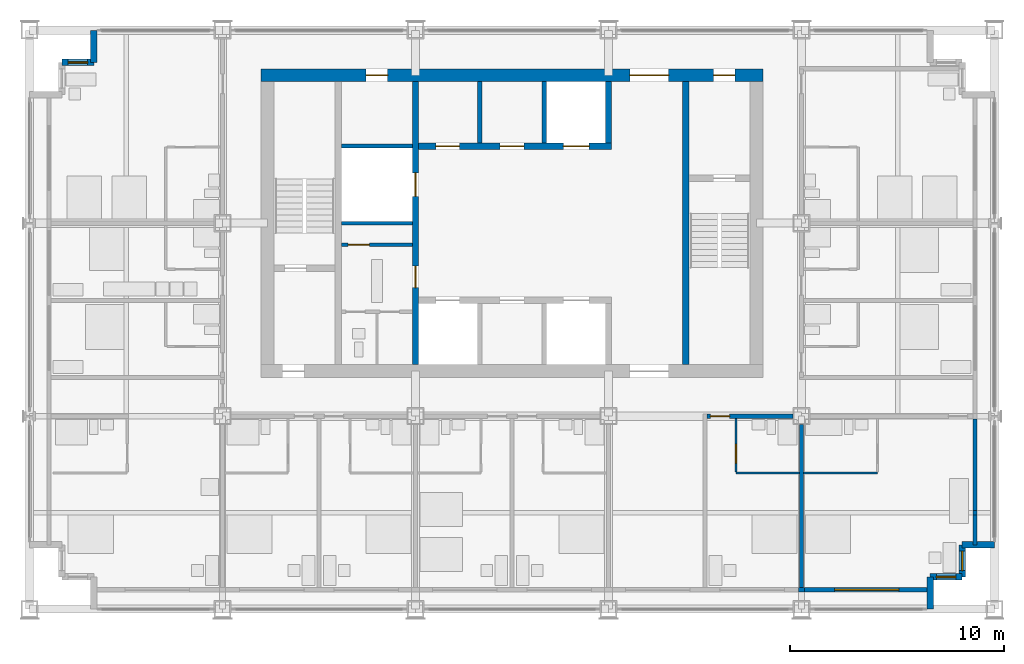
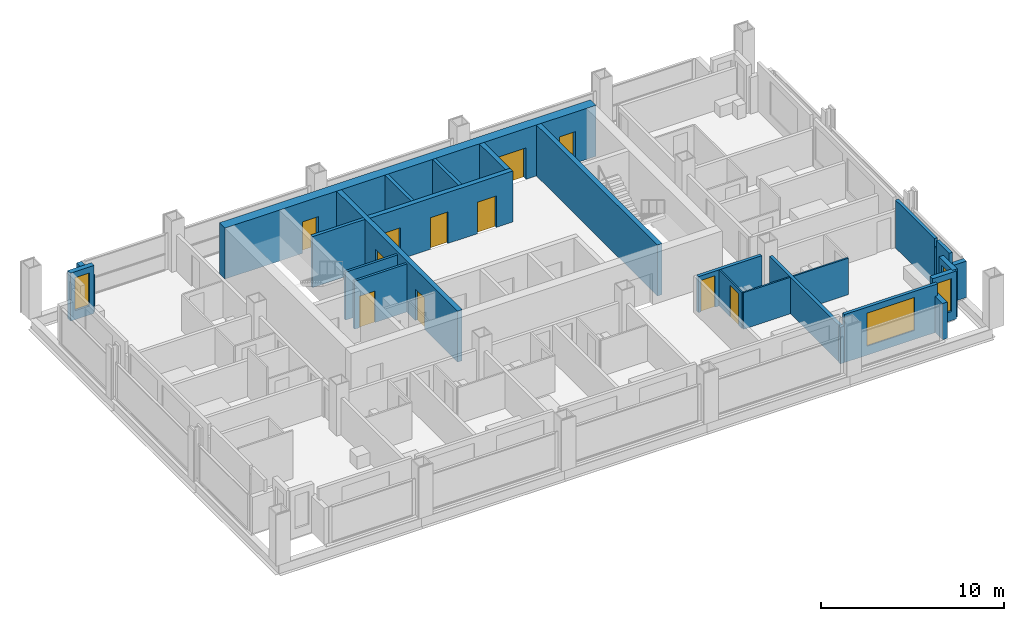
# One storey, part 9 of 14: 26 walls, 11 doors, 4 windows, 15 openings.
"""IFC4 building model written with IfcOpenShell, lengths in metres."""

from ifc_helpers import new_model, si_unit, direction, frame, frame_2d, origin, place, context, subcontext, project, spatial, rectangle, extrude, material, layer, layer_set, type_object, element, fill, save


model = new_model("IFC4")

# Units and contexts
model_context = context("Model", 3, precision=1e-05, world=origin(), true_north=direction((0.0, 1.0)))
body_context = subcontext(model_context, "Body", "Model", "MODEL_VIEW")
ifc_project = project(units=[si_unit("LENGTHUNIT", "METRE"), si_unit("AREAUNIT", "SQUARE_METRE"), si_unit("VOLUMEUNIT", "CUBIC_METRE"), si_unit("PLANEANGLEUNIT", "RADIAN"), si_unit("MASSUNIT", "GRAM", prefix="KILO")], contexts=[model_context])

# Site, building, storey
site_placement = place(None, origin())
site = spatial("IfcSite", under=ifc_project, at=site_placement, CompositionType="ELEMENT")
building_placement = place(site_placement, origin())
building = spatial("IfcBuilding", under=site, at=building_placement, Name="Loomwork Tower", CompositionType="ELEMENT")
storey_placement = place(building_placement, frame((0.0, 0.0, 167.199951171875)))
storey = spatial("IfcBuildingStorey", under=building, at=storey_placement, Name="L45", CompositionType="ELEMENT", Elevation=167.199951171875)

# Wall, openings, doors
ifc_material_1 = material(Name="Concrete 14000 psi (97 MPa)", Category="concrete")
ifc_layer_1 = layer(ifc_material_1, 0.300048828125)
ifc_layer_set_1 = layer_set([ifc_layer_1], Name="Core shear wall 300")
wall_type_1 = type_object("IfcWallType", Name="Core shear wall 300", PredefinedType="SHEAR", material=ifc_layer_set_1)
wall_1_placement = place(storey_placement, frame((18.0, 11.39990234375, 0.0), z_axis=(0.0, 0.0, 1.0), x_axis=(0.0, 1.0, 0.0)))
wall_1 = element("IfcWall", 1, at=wall_1_placement, inside=storey, type_object=wall_type_1, Name="Lobby west wall L45", PredefinedType="SHEAR", context=body_context, shape_type="SweptSolid", body=[
    extrude(rectangle(XDim=13.2001953125, YDim=0.300048828125, at=frame_2d((6.60009765625, 0.0))), origin(), (0.0, 0.0, 1.0), 3.400146484375),
])
opening_1_placement = place(wall_1_placement, frame((3.60009765625, 0.0, 0.0)))
opening_1 = element("IfcOpeningElement", 2, at=opening_1_placement, cuts=wall_1, Name="Opening D5", PredefinedType="OPENING", context=body_context, shape_type="SweptSolid", body=[
    extrude(rectangle(XDim=1.0, YDim=2.10009765625, at=frame_2d((0.5, 1.050048828125))), frame((0.0, 0.159912109375, 0.0), z_axis=(0.0, -1.0, 0.0), x_axis=(1.0, 0.0, 0.0)), (0.0, 0.0, 1.0), 0.320068359375),
])
opening_2_placement = place(wall_1_placement, frame((7.85009765625, 0.0, 0.0)))
opening_2 = element("IfcOpeningElement", 3, at=opening_2_placement, cuts=wall_1, Name="Opening LD1", PredefinedType="OPENING", context=body_context, shape_type="SweptSolid", body=[
    extrude(rectangle(XDim=1.10009765625, YDim=2.10009765625, at=frame_2d((0.550048828125, 1.050048828125))), frame((0.0, 0.159912109375, 0.0), z_axis=(0.0, -1.0, 0.0), x_axis=(1.0, 0.0, 0.0)), (0.0, 0.0, 1.0), 0.320068359375),
])
ifc_material_2 = material(Name="Hollow metal door and frame")
door_type_1 = type_object("IfcDoorType", Name="Lift landing door 1100", OperationType="SLIDING_TO_LEFT", PredefinedType="DOOR", material=ifc_material_2)
door_1_placement = place(opening_2_placement, origin())
door_1 = element("IfcDoor", 4, at=door_1_placement, inside=storey, type_object=door_type_1, Name="Lift landing door LC2", OperationType="SLIDING_TO_LEFT", OverallHeight=2.10009765625, OverallWidth=1.10009765625, PredefinedType="DOOR", context=body_context, shape_type="SweptSolid", body=[
    extrude(rectangle(XDim=1.10009765625, YDim=2.10009765625, at=frame_2d((0.550048828125, 1.050048828125))), frame((0.0, 0.02490234375, 0.0), z_axis=(0.0, -1.0, 0.0), x_axis=(1.0, 0.0, 0.0)), (0.0, 0.0, 1.0), 0.050048828125),
])
fill(opening_2, door_1)
ifc_material_3 = material(Name="Hollow metal door and frame")
door_type_2 = type_object("IfcDoorType", Name="Service door 1000", OperationType="SINGLE_SWING_LEFT", PredefinedType="DOOR", material=ifc_material_3)
door_2_placement = place(opening_1_placement, origin())
door_2 = element("IfcDoor", 5, at=door_2_placement, inside=storey, type_object=door_type_2, Name="Back-of-house door south", OperationType="SINGLE_SWING_LEFT", OverallHeight=2.10009765625, OverallWidth=1.0, PredefinedType="DOOR", context=body_context, shape_type="SweptSolid", body=[
    extrude(rectangle(XDim=1.0, YDim=2.10009765625, at=frame_2d((0.5, 1.050048828125))), frame((0.0, 0.02490234375, 0.0), z_axis=(0.0, -1.0, 0.0), x_axis=(1.0, 0.0, 0.0)), (0.0, 0.0, 1.0), 0.050048828125),
])
fill(opening_1, door_2)

wall_2_placement = place(storey_placement, frame((18.14990234375, 21.60009765625, 0.0), z_axis=(0.0, 0.0, 1.0), x_axis=(1.0, 0.0, 0.0)))
wall_2 = element("IfcWall", 6, at=wall_2_placement, inside=storey, type_object=wall_type_1, Name="Lift front wall north L45", PredefinedType="SHEAR", context=body_context, shape_type="SweptSolid", body=[
    extrude(rectangle(XDim=9.0, YDim=0.300048828125, at=frame_2d((4.5, 0.0))), origin(), (0.0, 0.0, 1.0), 3.400146484375),
])
opening_3_placement = place(wall_2_placement, frame((6.75, 0.0, 0.0)))
opening_3 = element("IfcOpeningElement", 7, at=opening_3_placement, cuts=wall_2, Name="Opening LD2", PredefinedType="OPENING", context=body_context, shape_type="SweptSolid", body=[
    extrude(rectangle(XDim=1.199951171875, YDim=2.10009765625, at=frame_2d((0.60009765625, 1.050048828125))), frame((0.0, 0.159912109375, 0.0), z_axis=(0.0, -1.0, 0.0), x_axis=(1.0, 0.0, 0.0)), (0.0, 0.0, 1.0), 0.320068359375),
])
opening_4_placement = place(wall_2_placement, frame((0.800048828125, 0.0, 0.0)))
opening_4 = element("IfcOpeningElement", 8, at=opening_4_placement, cuts=wall_2, Name="Opening D17", PredefinedType="OPENING", context=body_context, shape_type="SweptSolid", body=[
    extrude(rectangle(XDim=1.10009765625, YDim=2.10009765625, at=frame_2d((0.550048828125, 1.050048828125))), frame((0.0, 0.159912109375, 0.0), z_axis=(0.0, -1.0, 0.0), x_axis=(1.0, 0.0, 0.0)), (0.0, 0.0, 1.0), 0.320068359375),
])
opening_5_placement = place(wall_2_placement, frame((3.800048828125, 0.0, 0.0)))
opening_5 = element("IfcOpeningElement", 9, at=opening_5_placement, cuts=wall_2, Name="Opening D17", PredefinedType="OPENING", context=body_context, shape_type="SweptSolid", body=[
    extrude(rectangle(XDim=1.10009765625, YDim=2.10009765625, at=frame_2d((0.550048828125, 1.050048828125))), frame((0.0, 0.159912109375, 0.0), z_axis=(0.0, -1.0, 0.0), x_axis=(1.0, 0.0, 0.0)), (0.0, 0.0, 1.0), 0.320068359375),
])
ifc_material_4 = material(Name="Hollow metal door and frame")
door_type_3 = type_object("IfcDoorType", Name="Lift landing door 1200", OperationType="SLIDING_TO_LEFT", PredefinedType="DOOR", material=ifc_material_4)
door_3_placement = place(opening_3_placement, origin())
door_3 = element("IfcDoor", 10, at=door_3_placement, inside=storey, type_object=door_type_3, Name="Lift landing door LF2", OperationType="SLIDING_TO_LEFT", OverallHeight=2.10009765625, OverallWidth=1.199951171875, PredefinedType="DOOR", context=body_context, shape_type="SweptSolid", body=[
    extrude(rectangle(XDim=1.199951171875, YDim=2.10009765625, at=frame_2d((0.60009765625, 1.050048828125))), frame((0.0, 0.02490234375, 0.0), z_axis=(0.0, -1.0, 0.0), x_axis=(1.0, 0.0, 0.0)), (0.0, 0.0, 1.0), 0.050048828125),
])
fill(opening_3, door_3)
ifc_material_5 = material(Name="Hollow metal door and frame")
door_type_4 = type_object("IfcDoorType", Name="Service room door 1100", OperationType="SINGLE_SWING_LEFT", PredefinedType="DOOR", material=ifc_material_5)
door_4_placement = place(opening_4_placement, origin())
door_4 = element("IfcDoor", 11, at=door_4_placement, inside=storey, type_object=door_type_4, Name="Linen and housekeeping store door L45", OperationType="SINGLE_SWING_LEFT", OverallHeight=2.10009765625, OverallWidth=1.10009765625, PredefinedType="DOOR", context=body_context, shape_type="SweptSolid", body=[
    extrude(rectangle(XDim=1.10009765625, YDim=2.10009765625, at=frame_2d((0.550048828125, 1.050048828125))), frame((0.0, 0.02490234375, 0.0), z_axis=(0.0, -1.0, 0.0), x_axis=(1.0, 0.0, 0.0)), (0.0, 0.0, 1.0), 0.050048828125),
])
fill(opening_4, door_4)
door_5_placement = place(opening_5_placement, origin())
door_5 = element("IfcDoor", 12, at=door_5_placement, inside=storey, type_object=door_type_4, Name="IT and communications room door L45", OperationType="SINGLE_SWING_LEFT", OverallHeight=2.10009765625, OverallWidth=1.10009765625, PredefinedType="DOOR", context=body_context, shape_type="SweptSolid", body=[
    extrude(rectangle(XDim=1.10009765625, YDim=2.10009765625, at=frame_2d((0.550048828125, 1.050048828125))), frame((0.0, 0.02490234375, 0.0), z_axis=(0.0, -1.0, 0.0), x_axis=(1.0, 0.0, 0.0)), (0.0, 0.0, 1.0), 0.050048828125),
])
fill(opening_5, door_5)

# Walls
wall_3_placement = place(storey_placement, frame((27.0, 21.75, 0.0), z_axis=(0.0, 0.0, 1.0), x_axis=(0.0, 1.0, 0.0)))
element("IfcWall", 13, at=wall_3_placement, inside=storey, type_object=wall_type_1, Name="Lift shaft end wall north L45", PredefinedType="SHEAR", context=body_context, shape_type="SweptSolid", body=[
    extrude(rectangle(XDim=2.85009765625, YDim=0.300048828125, at=frame_2d((1.425048828125, 0.0))), origin(), (0.0, 0.0, 1.0), 3.400146484375),
])
wall_4_placement = place(storey_placement, frame((30.60009765625, 11.39990234375, 0.0), z_axis=(0.0, 0.0, 1.0), x_axis=(0.0, 1.0, 0.0)))
element("IfcWall", 14, at=wall_4_placement, inside=storey, type_object=wall_type_1, Name="Stair B west wall L45", PredefinedType="SHEAR", context=body_context, shape_type="SweptSolid", body=[
    extrude(rectangle(XDim=13.2001953125, YDim=0.300048828125, at=frame_2d((6.60009765625, 0.0))), origin(), (0.0, 0.0, 1.0), 3.400146484375),
])

# Wall, openings, doors
ifc_material_6 = material(Name="Concrete 14000 psi (97 MPa)", Category="concrete")
ifc_layer_2 = layer(ifc_material_6, 0.60009765625)
ifc_layer_set_2 = layer_set([ifc_layer_2], Name="Core shear wall 600")
wall_type_2 = type_object("IfcWallType", Name="Core shear wall 600", PredefinedType="SHEAR", material=ifc_layer_set_2)
wall_5_placement = place(storey_placement, frame((10.800048828125, 24.89990234375, 0.0), z_axis=(0.0, 0.0, 1.0), x_axis=(1.0, 0.0, 0.0)))
wall_5 = element("IfcWall", 15, at=wall_5_placement, inside=storey, type_object=wall_type_2, Name="Core wall north L45", PredefinedType="SHEAR", context=body_context, shape_type="SweptSolid", body=[
    extrude(rectangle(XDim=23.39990234375, YDim=0.60009765625, at=frame_2d((11.699951171875, 0.0))), origin(), (0.0, 0.0, 1.0), 3.400146484375),
])
opening_6_placement = place(wall_5_placement, frame((17.199951171875, 0.0, 0.0)))
opening_6 = element("IfcOpeningElement", 16, at=opening_6_placement, cuts=wall_5, Name="Opening D6", PredefinedType="OPENING", context=body_context, shape_type="SweptSolid", body=[
    extrude(rectangle(XDim=1.800048828125, YDim=2.10009765625, at=frame_2d((0.89990234375, 1.050048828125))), frame((0.0, 0.31005859375, 0.0), z_axis=(0.0, -1.0, 0.0), x_axis=(1.0, 0.0, 0.0)), (0.0, 0.0, 1.0), 0.6201171875),
])
opening_7_placement = place(wall_5_placement, frame((21.10009765625, 0.0, 0.0)))
opening_7 = element("IfcOpeningElement", 17, at=opening_7_placement, cuts=wall_5, Name="Opening D4", PredefinedType="OPENING", context=body_context, shape_type="SweptSolid", body=[
    extrude(rectangle(XDim=1.0, YDim=2.10009765625, at=frame_2d((0.5, 1.050048828125))), frame((0.0, 0.31005859375, 0.0), z_axis=(0.0, -1.0, 0.0), x_axis=(1.0, 0.0, 0.0)), (0.0, 0.0, 1.0), 0.6201171875),
])
opening_8_placement = place(wall_5_placement, frame((4.89990234375, 0.0, 0.0)))
opening_8 = element("IfcOpeningElement", 18, at=opening_8_placement, cuts=wall_5, Name="Opening D5", PredefinedType="OPENING", context=body_context, shape_type="SweptSolid", body=[
    extrude(rectangle(XDim=1.0, YDim=2.10009765625, at=frame_2d((0.5, 1.050048828125))), frame((0.0, 0.31005859375, 0.0), z_axis=(0.0, -1.0, 0.0), x_axis=(1.0, 0.0, 0.0)), (0.0, 0.0, 1.0), 0.6201171875),
])
ifc_material_7 = material(Name="Hollow metal door and frame")
door_type_5 = type_object("IfcDoorType", Name="Lobby passage double door 1800", OperationType="DOUBLE_DOOR_SINGLE_SWING", PredefinedType="DOOR", material=ifc_material_7)
door_6_placement = place(opening_6_placement, frame((1.800048828125, 0.0, 0.0), z_axis=(0.0, 0.0, 1.0), x_axis=(-1.0, 0.0, 0.0)))
door_6 = element("IfcDoor", 19, at=door_6_placement, inside=storey, type_object=door_type_5, Name="Lobby passage door north", OperationType="DOUBLE_DOOR_SINGLE_SWING", OverallHeight=2.10009765625, OverallWidth=1.800048828125, PredefinedType="DOOR", context=body_context, shape_type="SweptSolid", body=[
    extrude(rectangle(XDim=1.800048828125, YDim=2.10009765625, at=frame_2d((0.89990234375, 1.050048828125))), frame((0.0, 0.02490234375, 0.0), z_axis=(0.0, -1.0, 0.0), x_axis=(1.0, 0.0, 0.0)), (0.0, 0.0, 1.0), 0.050048828125),
])
fill(opening_6, door_6)
door_7_placement = place(opening_8_placement, frame((1.0, 0.0, 0.0), z_axis=(0.0, 0.0, 1.0), x_axis=(-1.0, 0.0, 0.0)))
door_7 = element("IfcDoor", 20, at=door_7_placement, inside=storey, type_object=door_type_2, Name="Back-of-house door north", OperationType="SINGLE_SWING_LEFT", OverallHeight=2.10009765625, OverallWidth=1.0, PredefinedType="DOOR", context=body_context, shape_type="SweptSolid", body=[
    extrude(rectangle(XDim=1.0, YDim=2.10009765625, at=frame_2d((0.5, 1.050048828125))), frame((0.0, 0.02490234375, 0.0), z_axis=(0.0, -1.0, 0.0), x_axis=(1.0, 0.0, 0.0)), (0.0, 0.0, 1.0), 0.050048828125),
])
fill(opening_8, door_7)
ifc_material_8 = material(Name="Hollow metal door and frame")
door_type_6 = type_object("IfcDoorType", Name="Stair door 1000", OperationType="SINGLE_SWING_RIGHT", PredefinedType="DOOR", material=ifc_material_8)
door_8_placement = place(opening_7_placement, frame((1.0, 0.0, 0.0), z_axis=(0.0, 0.0, 1.0), x_axis=(-1.0, 0.0, 0.0)))
door_8 = element("IfcDoor", 21, at=door_8_placement, inside=storey, type_object=door_type_6, Name="Stair B vestibule door", OperationType="SINGLE_SWING_LEFT", OverallHeight=2.10009765625, OverallWidth=1.0, PredefinedType="DOOR", context=body_context, shape_type="SweptSolid", body=[
    extrude(rectangle(XDim=1.0, YDim=2.10009765625, at=frame_2d((0.5, 1.050048828125))), frame((0.0, 0.02490234375, 0.0), z_axis=(0.0, -1.0, 0.0), x_axis=(1.0, 0.0, 0.0)), (0.0, 0.0, 1.0), 0.050048828125),
])
fill(opening_7, door_8)

# Wall, opening, door
ifc_material_9 = material(Name="Gypsum board on steel studs, one-hour", Category="steel")
ifc_layer_3 = layer(ifc_material_9, 0.199951171875)
ifc_layer_set_3 = layer_set([ifc_layer_3], Name="Corridor wall 200")
wall_type_3 = type_object("IfcWallType", Name="Corridor wall 200", PredefinedType="PARTITIONING", material=ifc_layer_set_3)
wall_6_placement = place(storey_placement, frame((31.60009765625, 9.0, 0.0), z_axis=(0.0, 0.0, 1.0), x_axis=(1.0, 0.0, 0.0)))
wall_6 = element("IfcWall", 22, at=wall_6_placement, inside=storey, type_object=wall_type_3, Name="South corridor wall 4", PredefinedType="PARTITIONING", context=body_context, shape_type="SweptSolid", body=[
    extrude(rectangle(XDim=4.0, YDim=0.199951171875, at=frame_2d((2.0, 0.0))), origin(), (0.0, 0.0, 1.0), 2.405029296875),
])
opening_9_placement = place(wall_6_placement, frame((0.14990234375, 0.0, 0.0)))
opening_9 = element("IfcOpeningElement", 23, at=opening_9_placement, cuts=wall_6, Name="Opening D1", PredefinedType="OPENING", context=body_context, shape_type="SweptSolid", body=[
    extrude(rectangle(XDim=0.89990234375, YDim=2.10009765625, at=frame_2d((0.449951171875, 1.050048828125))), frame((0.0, 0.10986328125, 0.0), z_axis=(0.0, -1.0, 0.0), x_axis=(1.0, 0.0, 0.0)), (0.0, 0.0, 1.0), 0.219970703125),
])
ifc_material_10 = material(Name="Hollow metal door and frame")
door_type_7 = type_object("IfcDoorType", Name="Guest room entry door 900", OperationType="SINGLE_SWING_LEFT", PredefinedType="DOOR", material=ifc_material_10)
door_9_placement = place(opening_9_placement, frame((0.89990234375, 0.0, 0.0), z_axis=(0.0, 0.0, 1.0), x_axis=(-1.0, 0.0, 0.0)))
door_9 = element("IfcDoor", 24, at=door_9_placement, inside=storey, type_object=door_type_7, Name="Guest room entry door L45 6", OperationType="SINGLE_SWING_RIGHT", OverallHeight=2.10009765625, OverallWidth=0.89990234375, PredefinedType="DOOR", context=body_context, shape_type="SweptSolid", body=[
    extrude(rectangle(XDim=0.89990234375, YDim=2.10009765625, at=frame_2d((0.449951171875, 1.050048828125))), frame((0.0, 0.02490234375, 0.0), z_axis=(0.0, -1.0, 0.0), x_axis=(1.0, 0.0, 0.0)), (0.0, 0.0, 1.0), 0.050048828125),
])
fill(opening_9, door_9)

# Wall
ifc_material_11 = material(Name="Cement board on steel studs", Category="steel")
ifc_layer_4 = layer(ifc_material_11, 0.10009765625)
ifc_layer_set_4 = layer_set([ifc_layer_4], Name="En-suite partition 100")
wall_type_4 = type_object("IfcWallType", Name="En-suite partition 100", PredefinedType="PARTITIONING", material=ifc_layer_set_4)
wall_7_placement = place(storey_placement, frame((32.949951171875, 6.35009765625, 0.0), z_axis=(0.0, 0.0, 1.0), x_axis=(1.0, 0.0, 0.0)))
element("IfcWall", 25, at=wall_7_placement, inside=storey, type_object=wall_type_4, Name="En-suite wall L45 room 6", PredefinedType="PARTITIONING", context=body_context, shape_type="SweptSolid", body=[
    extrude(rectangle(XDim=2.949951171875, YDim=0.10009765625, at=frame_2d((1.47509765625, 0.0))), origin(), (0.0, 0.0, 1.0), 2.43798828125),
])

# Wall, opening, door
wall_8_placement = place(storey_placement, frame((32.949951171875, 8.89990234375, 0.0), z_axis=(0.0, 0.0, 1.0), x_axis=(0.0, -1.0, 0.0)))
wall_8 = element("IfcWall", 26, at=wall_8_placement, inside=storey, type_object=wall_type_4, Name="En-suite side wall L45 room 6", PredefinedType="PARTITIONING", context=body_context, shape_type="SweptSolid", body=[
    extrude(rectangle(XDim=2.5, YDim=0.10009765625, at=frame_2d((1.25, 0.0))), origin(), (0.0, 0.0, 1.0), 2.404052734375),
])
opening_10_placement = place(wall_8_placement, frame((1.199951171875, 0.0, 0.0)))
opening_10 = element("IfcOpeningElement", 27, at=opening_10_placement, cuts=wall_8, Name="Opening D2", PredefinedType="OPENING", context=body_context, shape_type="SweptSolid", body=[
    extrude(rectangle(XDim=0.89990234375, YDim=2.10009765625, at=frame_2d((0.449951171875, 1.050048828125))), frame((0.0, 0.06005859375, 0.0), z_axis=(0.0, -1.0, 0.0), x_axis=(1.0, 0.0, 0.0)), (0.0, 0.0, 1.0), 0.1201171875),
])
ifc_material_12 = material(Name="Hollow metal door and frame")
door_type_8 = type_object("IfcDoorType", Name="En-suite door 900", OperationType="SINGLE_SWING_LEFT", PredefinedType="DOOR", material=ifc_material_12)
door_10_placement = place(opening_10_placement, origin())
door_10 = element("IfcDoor", 28, at=door_10_placement, inside=storey, type_object=door_type_8, Name="En-suite door room 6", OperationType="SINGLE_SWING_RIGHT", OverallHeight=2.10009765625, OverallWidth=0.89990234375, PredefinedType="DOOR", context=body_context, shape_type="SweptSolid", body=[
    extrude(rectangle(XDim=0.89990234375, YDim=2.10009765625, at=frame_2d((0.449951171875, 1.050048828125))), frame((0.0, 0.02490234375, 0.0), z_axis=(0.0, -1.0, 0.0), x_axis=(1.0, 0.0, 0.0)), (0.0, 0.0, 1.0), 0.050048828125),
])
fill(opening_10, door_10)

# Walls
wall_9_placement = place(storey_placement, frame((36.10009765625, 6.35009765625, 0.0), z_axis=(0.0, 0.0, 1.0), x_axis=(1.0, 0.0, 0.0)))
element("IfcWall", 29, at=wall_9_placement, inside=storey, type_object=wall_type_4, Name="En-suite wall L45 room 7", PredefinedType="PARTITIONING", context=body_context, shape_type="SweptSolid", body=[
    extrude(rectangle(XDim=3.449951171875, YDim=0.10009765625, at=frame_2d((1.72509765625, 0.0))), origin(), (0.0, 0.0, 1.0), 2.43798828125),
])
ifc_material_13 = material(Name="Gypsum board on steel studs, acoustic", Category="steel")
ifc_layer_5 = layer(ifc_material_13, 0.199951171875)
ifc_layer_set_5 = layer_set([ifc_layer_5], Name="Guest room party wall 200")
wall_type_5 = type_object("IfcWallType", Name="Guest room party wall 200", PredefinedType="PARTITIONING", material=ifc_layer_set_5)
wall_10_placement = place(storey_placement, frame((36.0, 8.60009765625, 0.0), z_axis=(0.0, 0.0, 1.0), x_axis=(0.0, -1.0, 0.0)))
element("IfcWall", 30, at=wall_10_placement, inside=storey, type_object=wall_type_5, Name="Guest room party wall S 36", PredefinedType="PARTITIONING", context=body_context, shape_type="SweptSolid", body=[
    extrude(rectangle(XDim=7.60009765625, YDim=0.199951171875, at=frame_2d((3.800048828125, 0.0))), origin(), (0.0, 0.0, 1.0), 2.43798828125),
])
ifc_material_14 = material(Name="Insulated steel stud wall with gypsum lining", Category="steel")
ifc_layer_6 = layer(ifc_material_14, 0.199951171875)
ifc_layer_set_6 = layer_set([ifc_layer_6], Name="Inner skin wall 200")
wall_type_6 = type_object("IfcWallType", Name="Inner skin wall 200", PredefinedType="SOLIDWALL", material=ifc_layer_set_6)
wall_11_placement = place(storey_placement, frame((44.10009765625, 3.0, 0.0), z_axis=(0.0, 0.0, 1.0), x_axis=(0.0, 1.0, 0.0)))
element("IfcWall", 31, at=wall_11_placement, inside=storey, type_object=wall_type_6, Name="Inner skin wall E", PredefinedType="SOLIDWALL", context=body_context, shape_type="SweptSolid", body=[
    extrude(rectangle(XDim=1.392578125, YDim=0.199951171875, at=frame_2d((0.6962890625, 0.0))), origin(), (0.0, 0.0, 1.0), 3.199951171875),
])
wall_12_placement = place(storey_placement, frame((35.864501953125, 0.89990234375, 0.0), z_axis=(0.0, 0.0, 1.0), x_axis=(1.0, 0.0, 0.0)))
element("IfcWall", 32, at=wall_12_placement, inside=storey, type_object=wall_type_6, Name="Inner skin wall S bay 8", PredefinedType="SOLIDWALL", context=body_context, shape_type="SweptSolid", body=[
    extrude(rectangle(XDim=0.27099609375, YDim=0.199951171875, at=frame_2d((0.135498046875, 0.0))), origin(), (0.0, 0.0, 1.0), 2.43798828125),
])

# Wall, opening, window
wall_13_placement = place(storey_placement, frame((36.135498046875, 0.89990234375, 0.0), z_axis=(0.0, 0.0, 1.0), x_axis=(1.0, 0.0, 0.0)))
wall_13 = element("IfcWall", 33, at=wall_13_placement, inside=storey, type_object=wall_type_6, Name="Inner skin wall S bay 9", PredefinedType="SOLIDWALL", context=body_context, shape_type="SweptSolid", body=[
    extrude(rectangle(XDim=5.864501953125, YDim=0.199951171875, at=frame_2d((2.93212890625, 0.0))), origin(), (0.0, 0.0, 1.0), 3.199951171875),
])
opening_11_placement = place(wall_13_placement, frame((1.41455078125, 0.0, 0.60009765625)))
opening_11 = element("IfcOpeningElement", 34, at=opening_11_placement, cuts=wall_13, Name="Opening CH1", PredefinedType="OPENING", context=body_context, shape_type="SweptSolid", body=[
    extrude(rectangle(XDim=3.0, YDim=2.199951171875, at=frame_2d((1.5, 1.10009765625))), frame((0.0, 0.10986328125, 0.0), z_axis=(0.0, -1.0, 0.0), x_axis=(1.0, 0.0, 0.0)), (0.0, 0.0, 1.0), 0.219970703125),
])
ifc_material_15 = material(Name="Aluminium frame with clear insulated glass", Category="aluminium")
window_type_1 = type_object("IfcWindowType", Name="Chicago window 3000", PartitioningType="TRIPLE_PANEL_VERTICAL", PredefinedType="WINDOW", material=ifc_material_15)
window_1_placement = place(opening_11_placement, origin())
window_1 = element("IfcWindow", 35, at=window_1_placement, inside=storey, type_object=window_type_1, Name="Chicago window L45 bay 5", OverallHeight=2.199951171875, OverallWidth=3.0, PartitioningType="TRIPLE_PANEL_VERTICAL", PredefinedType="WINDOW", context=body_context, shape_type="SweptSolid", body=[
    extrude(rectangle(XDim=3.0, YDim=2.199951171875, at=frame_2d((1.5, 1.10009765625))), frame((0.0, 0.030029296875, 0.0), z_axis=(0.0, -1.0, 0.0), x_axis=(1.0, 0.0, 0.0)), (0.0, 0.0, 1.0), 0.06005859375),
])
fill(opening_11, window_1)

# Walls
wall_14_placement = place(storey_placement, frame((44.10009765625, 4.392578125, 0.0), z_axis=(0.0, 0.0, 1.0), x_axis=(0.0, 1.0, 0.0)))
element("IfcWall", 36, at=wall_14_placement, inside=storey, type_object=wall_type_6, Name="Inner skin wall E bay 2", PredefinedType="SOLIDWALL", context=body_context, shape_type="SweptSolid", body=[
    extrude(rectangle(XDim=0.21484375, YDim=0.199951171875, at=frame_2d((0.107421875, 0.0))), origin(), (0.0, 0.0, 1.0), 2.6611328125),
])
wall_15_placement = place(storey_placement, frame((44.10009765625, 4.607421875, 0.0), z_axis=(0.0, 0.0, 1.0), x_axis=(0.0, 1.0, 0.0)))
element("IfcWall", 37, at=wall_15_placement, inside=storey, type_object=wall_type_6, Name="Inner skin wall E bay 3", PredefinedType="SOLIDWALL", context=body_context, shape_type="SweptSolid", body=[
    extrude(rectangle(XDim=4.25732421875, YDim=0.199951171875, at=frame_2d((2.128662109375, 0.0))), origin(), (0.0, 0.0, 1.0), 3.199951171875),
])
ifc_material_16 = material(Name="Concrete 14000 psi (97 MPa)", Category="concrete")
ifc_layer_7 = layer(ifc_material_16, 0.199951171875)
ifc_layer_set_7 = layer_set([ifc_layer_7], Name="Lift shaft wall 200")
wall_type_7 = type_object("IfcWallType", Name="Lift shaft wall 200", PredefinedType="SHEAR", material=ifc_layer_set_7)
for number, where, z_axis, x_axis, name in (
    (38, (21.0, 21.75, 0.0), (0.0, 0.0, 1.0), (0.0, 1.0, 0.0), "Lift shaft separation wall north 1 L45"),
    (39, (24.0, 21.75, 0.0), (0.0, 0.0, 1.0), (0.0, 1.0, 0.0), "Lift shaft separation wall north 2 L45"),
):
    element("IfcWall", number, at=place(storey_placement, frame(where, z_axis=z_axis, x_axis=x_axis)), inside=storey, type_object=wall_type_7, Name=name, PredefinedType="SHEAR", context=body_context, shape_type="SweptSolid", body=[
        extrude(rectangle(XDim=2.85009765625, YDim=0.199951171875, at=frame_2d((1.425048828125, 0.0))), origin(), (0.0, 0.0, 1.0), 3.400146484375),
    ])
wall_16_placement = place(storey_placement, frame((14.550048828125, 21.60009765625, 0.0), z_axis=(0.0, 0.0, 1.0), x_axis=(1.0, 0.0, 0.0)))
element("IfcWall", 40, at=wall_16_placement, inside=storey, type_object=wall_type_7, Name="Lift shaft wall west north L45", PredefinedType="SHEAR", context=body_context, shape_type="SweptSolid", body=[
    extrude(rectangle(XDim=3.300048828125, YDim=0.199951171875, at=frame_2d((1.64990234375, 0.0))), origin(), (0.0, 0.0, 1.0), 3.400146484375),
])
ifc_material_17 = material(Name="Limestone on concrete masonry", Category="masonry")
ifc_layer_8 = layer(ifc_material_17, 0.300048828125)
ifc_layer_set_8 = layer_set([ifc_layer_8], Name="Limestone corner wall 300")
wall_type_8 = type_object("IfcWallType", Name="Limestone corner wall 300", PredefinedType="SOLIDWALL", material=ifc_layer_set_8)
wall_17_placement = place(storey_placement, frame((42.0, 0.0, 0.0), z_axis=(0.0, 0.0, 1.0), x_axis=(0.0, 1.0, 0.0)))
element("IfcWall", 41, at=wall_17_placement, inside=storey, type_object=wall_type_8, Name="Stone corner wall SE 1", PredefinedType="SOLIDWALL", context=body_context, shape_type="SweptSolid", body=[
    extrude(rectangle(XDim=1.5, YDim=0.300048828125, at=frame_2d((0.75, 0.0))), origin(), (0.0, 0.0, 1.0), 2.420166015625),
])

# Wall, opening, window
wall_18_placement = place(storey_placement, frame((42.0, 1.5, 0.0), z_axis=(0.0, 0.0, 1.0), x_axis=(1.0, 0.0, 0.0)))
wall_18 = element("IfcWall", 42, at=wall_18_placement, inside=storey, type_object=wall_type_8, Name="Stone corner wall SE 2", PredefinedType="SOLIDWALL", context=body_context, shape_type="SweptSolid", body=[
    extrude(rectangle(XDim=1.5, YDim=0.300048828125, at=frame_2d((0.75, 0.0))), origin(), (0.0, 0.0, 1.0), 3.199951171875),
])
opening_12_placement = place(wall_18_placement, frame((0.300048828125, 0.0, 0.60009765625)))
opening_12 = element("IfcOpeningElement", 43, at=opening_12_placement, cuts=wall_18, Name="Opening CH2", PredefinedType="OPENING", context=body_context, shape_type="SweptSolid", body=[
    extrude(rectangle(XDim=0.89990234375, YDim=2.199951171875, at=frame_2d((0.449951171875, 1.10009765625))), frame((0.0, 0.159912109375, 0.0), z_axis=(0.0, -1.0, 0.0), x_axis=(1.0, 0.0, 0.0)), (0.0, 0.0, 1.0), 0.320068359375),
])
ifc_material_18 = material(Name="Aluminium frame with clear insulated glass", Category="aluminium")
window_type_2 = type_object("IfcWindowType", Name="Corner window 900", PartitioningType="SINGLE_PANEL", PredefinedType="WINDOW", material=ifc_material_18)
window_2_placement = place(opening_12_placement, origin())
window_2 = element("IfcWindow", 44, at=window_2_placement, inside=storey, type_object=window_type_2, Name="Corner window SE", OverallHeight=2.199951171875, OverallWidth=0.89990234375, PartitioningType="SINGLE_PANEL", PredefinedType="WINDOW", context=body_context, shape_type="SweptSolid", body=[
    extrude(rectangle(XDim=0.89990234375, YDim=2.199951171875, at=frame_2d((0.449951171875, 1.10009765625))), frame((0.0, 0.030029296875, 0.0), z_axis=(0.0, -1.0, 0.0), x_axis=(1.0, 0.0, 0.0)), (0.0, 0.0, 1.0), 0.06005859375),
])
fill(opening_12, window_2)

wall_19_placement = place(storey_placement, frame((43.5, 1.5, 0.0), z_axis=(0.0, 0.0, 1.0), x_axis=(0.0, 1.0, 0.0)))
wall_19 = element("IfcWall", 45, at=wall_19_placement, inside=storey, type_object=wall_type_8, Name="Stone corner wall SE 3", PredefinedType="SOLIDWALL", context=body_context, shape_type="SweptSolid", body=[
    extrude(rectangle(XDim=1.5, YDim=0.300048828125, at=frame_2d((0.75, 0.0))), origin(), (0.0, 0.0, 1.0), 3.199951171875),
])
opening_13_placement = place(wall_19_placement, frame((0.300048828125, 0.0, 0.60009765625)))
opening_13 = element("IfcOpeningElement", 46, at=opening_13_placement, cuts=wall_19, Name="Opening CH2", PredefinedType="OPENING", context=body_context, shape_type="SweptSolid", body=[
    extrude(rectangle(XDim=0.89990234375, YDim=2.199951171875, at=frame_2d((0.449951171875, 1.10009765625))), frame((0.0, 0.159912109375, 0.0), z_axis=(0.0, -1.0, 0.0), x_axis=(1.0, 0.0, 0.0)), (0.0, 0.0, 1.0), 0.320068359375),
])
window_3_placement = place(opening_13_placement, origin())
window_3 = element("IfcWindow", 47, at=window_3_placement, inside=storey, type_object=window_type_2, Name="Corner window SE", OverallHeight=2.199951171875, OverallWidth=0.89990234375, PartitioningType="SINGLE_PANEL", PredefinedType="WINDOW", context=body_context, shape_type="SweptSolid", body=[
    extrude(rectangle(XDim=0.89990234375, YDim=2.199951171875, at=frame_2d((0.449951171875, 1.10009765625))), frame((0.0, 0.030029296875, 0.0), z_axis=(0.0, -1.0, 0.0), x_axis=(1.0, 0.0, 0.0)), (0.0, 0.0, 1.0), 0.06005859375),
])
fill(opening_13, window_3)

# Walls
for number, where, z_axis, x_axis, name in (
    (48, (43.5, 3.0, 0.0), (0.0, 0.0, 1.0), (1.0, 0.0, 0.0), "Stone corner wall SE 4"),
    (49, (3.0, 27.0, 0.0), (0.0, 0.0, 1.0), (0.0, -1.0, 0.0), "Stone corner wall NW 1"),
):
    element("IfcWall", number, at=place(storey_placement, frame(where, z_axis=z_axis, x_axis=x_axis)), inside=storey, type_object=wall_type_8, Name=name, PredefinedType="SOLIDWALL", context=body_context, shape_type="SweptSolid", body=[
        extrude(rectangle(XDim=1.5, YDim=0.300048828125, at=frame_2d((0.75, 0.0))), origin(), (0.0, 0.0, 1.0), 2.420166015625),
    ])

# Wall, opening, window
wall_20_placement = place(storey_placement, frame((3.0, 25.5, 0.0), z_axis=(0.0, 0.0, 1.0), x_axis=(-1.0, 0.0, 0.0)))
wall_20 = element("IfcWall", 50, at=wall_20_placement, inside=storey, type_object=wall_type_8, Name="Stone corner wall NW 2", PredefinedType="SOLIDWALL", context=body_context, shape_type="SweptSolid", body=[
    extrude(rectangle(XDim=1.5, YDim=0.300048828125, at=frame_2d((0.75, 0.0))), origin(), (0.0, 0.0, 1.0), 3.199951171875),
])
opening_14_placement = place(wall_20_placement, frame((0.300048828125, 0.0, 0.60009765625)))
opening_14 = element("IfcOpeningElement", 51, at=opening_14_placement, cuts=wall_20, Name="Opening CH2", PredefinedType="OPENING", context=body_context, shape_type="SweptSolid", body=[
    extrude(rectangle(XDim=0.89990234375, YDim=2.199951171875, at=frame_2d((0.449951171875, 1.10009765625))), frame((0.0, 0.159912109375, 0.0), z_axis=(0.0, -1.0, 0.0), x_axis=(1.0, 0.0, 0.0)), (0.0, 0.0, 1.0), 0.320068359375),
])
window_4_placement = place(opening_14_placement, origin())
window_4 = element("IfcWindow", 52, at=window_4_placement, inside=storey, type_object=window_type_2, Name="Corner window NW", OverallHeight=2.199951171875, OverallWidth=0.89990234375, PartitioningType="SINGLE_PANEL", PredefinedType="WINDOW", context=body_context, shape_type="SweptSolid", body=[
    extrude(rectangle(XDim=0.89990234375, YDim=2.199951171875, at=frame_2d((0.449951171875, 1.10009765625))), frame((0.0, 0.030029296875, 0.0), z_axis=(0.0, -1.0, 0.0), x_axis=(1.0, 0.0, 0.0)), (0.0, 0.0, 1.0), 0.06005859375),
])
fill(opening_14, window_4)

# Wall
ifc_material_19 = material(Name="Gypsum board on steel studs", Category="steel")
ifc_layer_9 = layer(ifc_material_19, 0.14990234375)
ifc_layer_set_9 = layer_set([ifc_layer_9], Name="Partition 150 two-hour")
wall_type_9 = type_object("IfcWallType", Name="Partition 150 two-hour", PredefinedType="PARTITIONING", material=ifc_layer_set_9)
wall_21_placement = place(storey_placement, frame((14.550048828125, 18.0, 0.0), z_axis=(0.0, 0.0, 1.0), x_axis=(1.0, 0.0, 0.0)))
element("IfcWall", 53, at=wall_21_placement, inside=storey, type_object=wall_type_9, Name="Back-of-house dividing wall L45", PredefinedType="PARTITIONING", context=body_context, shape_type="SweptSolid", body=[
    extrude(rectangle(XDim=3.300048828125, YDim=0.14990234375, at=frame_2d((1.64990234375, 0.0))), origin(), (0.0, 0.0, 1.0), 3.199951171875),
])

# Wall, opening, door
ifc_material_20 = material(Name="Gypsum board on steel studs, one-hour", Category="steel")
ifc_layer_10 = layer(ifc_material_20, 0.14990234375)
ifc_layer_set_10 = layer_set([ifc_layer_10], Name="Service partition 150")
wall_type_10 = type_object("IfcWallType", Name="Service partition 150", PredefinedType="PARTITIONING", material=ifc_layer_set_10)
wall_22_placement = place(storey_placement, frame((14.550048828125, 17.0, 0.0), z_axis=(0.0, 0.0, 1.0), x_axis=(1.0, 0.0, 0.0)))
wall_22 = element("IfcWall", 54, at=wall_22_placement, inside=storey, type_object=wall_type_10, Name="Riser enclosure L45", PredefinedType="PARTITIONING", context=body_context, shape_type="SweptSolid", body=[
    extrude(rectangle(XDim=3.300048828125, YDim=0.14990234375, at=frame_2d((1.64990234375, 0.0))), origin(), (0.0, 0.0, 1.0), 3.199951171875),
])
opening_15_placement = place(wall_22_placement, frame((0.300048828125, 0.0, 0.0)))
opening_15 = element("IfcOpeningElement", 55, at=opening_15_placement, cuts=wall_22, Name="Opening D18", PredefinedType="OPENING", context=body_context, shape_type="SweptSolid", body=[
    extrude(rectangle(XDim=1.0, YDim=2.10009765625, at=frame_2d((0.5, 1.050048828125))), frame((0.0, 0.0849609375, 0.0), z_axis=(0.0, -1.0, 0.0), x_axis=(1.0, 0.0, 0.0)), (0.0, 0.0, 1.0), 0.169921875),
])
ifc_material_21 = material(Name="Hollow metal door and frame")
door_type_9 = type_object("IfcDoorType", Name="Ninety-minute service door 1000", OperationType="SINGLE_SWING_LEFT", PredefinedType="DOOR", material=ifc_material_21)
door_11_placement = place(opening_15_placement, frame((1.0, 0.0, 0.0), z_axis=(0.0, 0.0, 1.0), x_axis=(-1.0, 0.0, 0.0)))
door_11 = element("IfcDoor", 56, at=door_11_placement, inside=storey, type_object=door_type_9, Name="Riser access door", OperationType="SINGLE_SWING_RIGHT", OverallHeight=2.10009765625, OverallWidth=1.0, PredefinedType="DOOR", context=body_context, shape_type="SweptSolid", body=[
    extrude(rectangle(XDim=1.0, YDim=2.10009765625, at=frame_2d((0.5, 1.050048828125))), frame((0.0, 0.02490234375, 0.0), z_axis=(0.0, -1.0, 0.0), x_axis=(1.0, 0.0, 0.0)), (0.0, 0.0, 1.0), 0.050048828125),
])
fill(opening_15, door_11)

save(model, "model.ifc")
